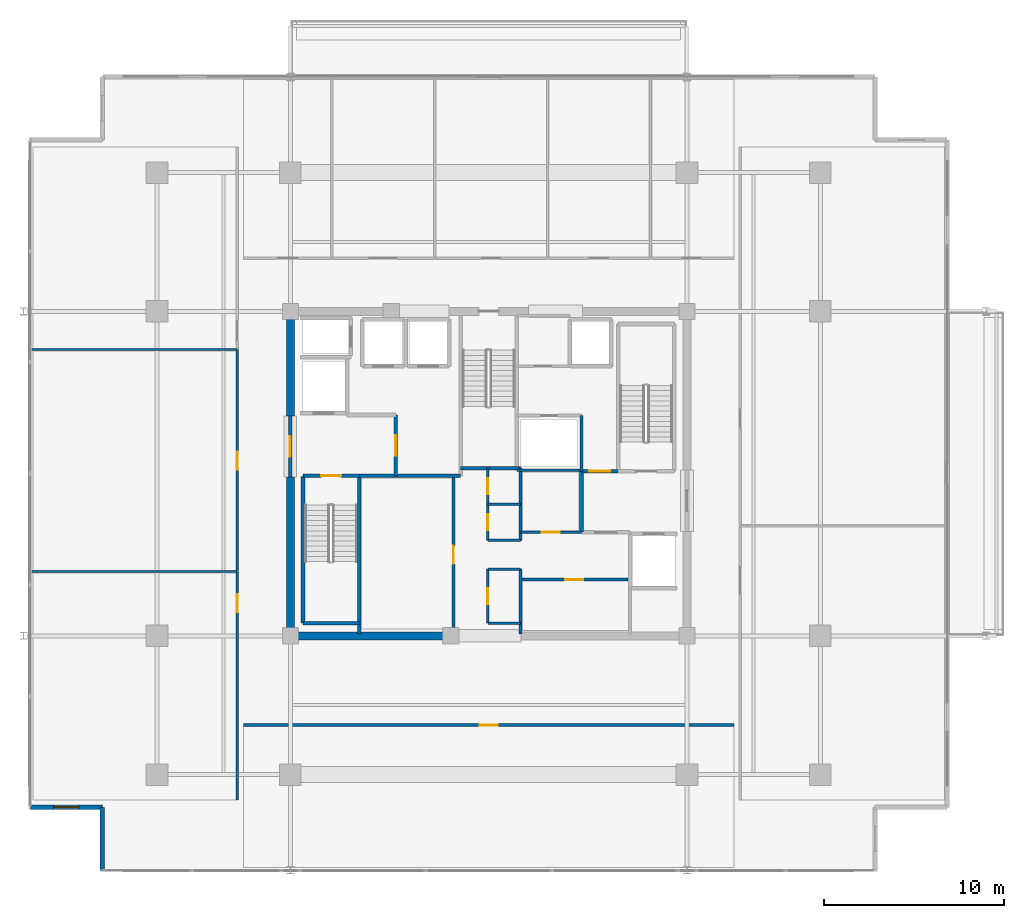
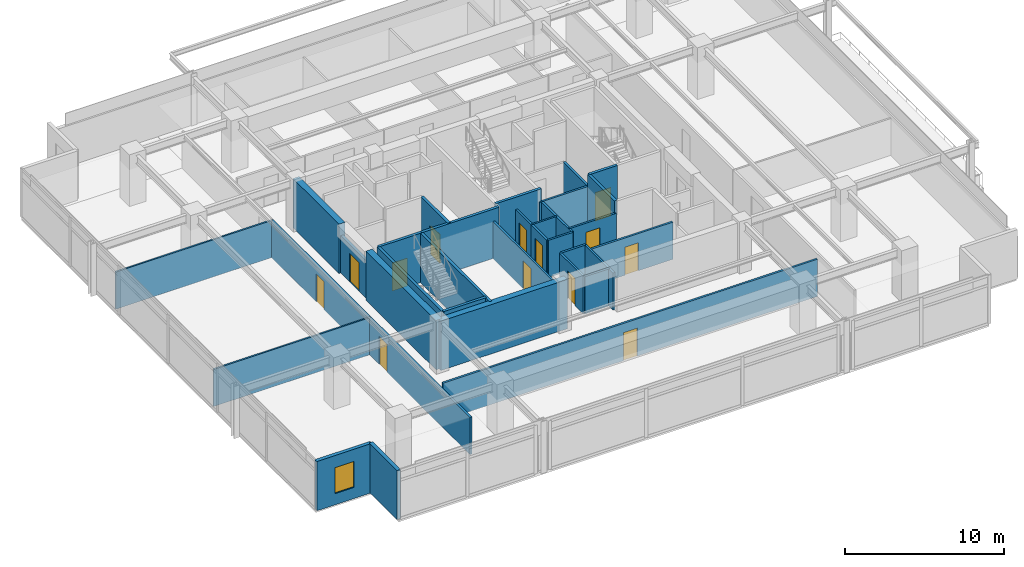
# One storey, part 13 of 20: 34 walls, 13 doors, 1 window, 14 openings.
"""IFC4 building model written with IfcOpenShell, lengths in metres."""

from ifc_helpers import new_model, si_unit, direction, frame, frame_2d, origin, place, context, subcontext, project, spatial, rectangle, extrude, material, layer, layer_set, type_object, element, fill, save


model = new_model("IFC4")

# Units and contexts
model_context = context("Model", 3, precision=1e-05, world=origin(), true_north=direction((0.0, 1.0)))
body_context = subcontext(model_context, "Body", "Model", "MODEL_VIEW")
ifc_project = project(units=[si_unit("LENGTHUNIT", "METRE"), si_unit("AREAUNIT", "SQUARE_METRE"), si_unit("VOLUMEUNIT", "CUBIC_METRE"), si_unit("PLANEANGLEUNIT", "RADIAN"), si_unit("MASSUNIT", "GRAM", prefix="KILO")], contexts=[model_context])

# Site, building, storey
site_placement = place(None, origin())
site = spatial("IfcSite", under=ifc_project, at=site_placement, CompositionType="ELEMENT")
building_placement = place(site_placement, origin())
building = spatial("IfcBuilding", under=site, at=building_placement, Name="Kovane Verandah Tower", CompositionType="ELEMENT")
storey_placement = place(building_placement, frame((0.0, 0.0, 287.199951171875)))
storey = spatial("IfcBuildingStorey", under=building, at=storey_placement, Name="L67", CompositionType="ELEMENT", Elevation=287.199951171875)

# Walls
ifc_material_1 = material(Name="Fire-Rated Gypsum Stud Partition", Category="gypsum")
ifc_layer_1 = layer(ifc_material_1, 0.14990234375)
ifc_layer_set_1 = layer_set([ifc_layer_1], Name="Fire-Rated Gypsum Stud Partition")
wall_type_1 = type_object("IfcWallType", Name="WL-COR-150", PredefinedType="PARTITIONING", material=ifc_layer_set_1)
for number, where, z_axis, x_axis, name in (
    (1, (39.949951171875, 19.199951171875, 0.0), (0.0, 0.0, 1.0), (1.0, 0.0, 0.0), "L67 Central Core Strip South Wall"),
    (2, (39.949951171875, 22.199951171875, 0.0), (0.0, 0.0, 1.0), (1.0, 0.0, 0.0), "L67 Core Cross-Passage South Wall"),
    (3, (39.949951171875, 23.800048828125, 0.0), (0.0, 0.0, 1.0), (1.0, 0.0, 0.0), "L67 Core Cross-Passage North Wall"),
):
    element("IfcWall", number, at=place(storey_placement, frame(where, z_axis=z_axis, x_axis=x_axis)), inside=storey, type_object=wall_type_1, Name=name, PredefinedType="PARTITIONING", context=body_context, shape_type="SweptSolid", body=[
        extrude(rectangle(XDim=1.81005859375, YDim=0.14990234375, at=frame_2d((0.905029296875, 0.0))), origin(), (0.0, 0.0, 1.0), 2.85009765625),
    ])
wall_1_placement = place(storey_placement, frame((41.760009765625, 18.60009765625, 0.0), z_axis=(0.0, 0.0, 1.0), x_axis=(0.0, 1.0, 0.0)))
element("IfcWall", 4, at=wall_1_placement, inside=storey, type_object=wall_type_1, Name="L67 Central Core Strip Lower East Wall", PredefinedType="PARTITIONING", context=body_context, shape_type="SweptSolid", body=[
    extrude(rectangle(XDim=3.599853515625, YDim=0.14990234375, at=frame_2d((1.7998046875, 0.0))), origin(), (0.0, 0.0, 1.0), 2.85009765625),
])
wall_2_placement = place(storey_placement, frame((41.760009765625, 23.800048828125, 0.0), z_axis=(0.0, 0.0, 1.0), x_axis=(0.0, 1.0, 0.0)))
element("IfcWall", 5, at=wall_2_placement, inside=storey, type_object=wall_type_1, Name="L67 Central Core Strip Upper East Wall", PredefinedType="PARTITIONING", context=body_context, shape_type="SweptSolid", body=[
    extrude(rectangle(XDim=4.0, YDim=0.14990234375, at=frame_2d((2.0, 0.0))), origin(), (0.0, 0.0, 1.0), 2.85009765625),
])

# Wall, opening, door
wall_3_placement = place(storey_placement, frame((39.949951171875, 19.199951171875, 0.0), z_axis=(0.0, 0.0, 1.0), x_axis=(0.0, 1.0, 0.0)))
wall_3 = element("IfcWall", 6, at=wall_3_placement, inside=storey, type_object=wall_type_1, Name="L67 Male Toilet Partition", PredefinedType="PARTITIONING", context=body_context, shape_type="SweptSolid", body=[
    extrude(rectangle(XDim=3.0, YDim=0.14990234375, at=frame_2d((1.5, 0.0))), origin(), (0.0, 0.0, 1.0), 2.85009765625),
])
opening_1_placement = place(wall_3_placement, frame((1.050048828125, 0.0, 0.0)))
opening_1 = element("IfcOpeningElement", 7, at=opening_1_placement, cuts=wall_3, Name="Opening DR-L67-026", PredefinedType="OPENING", context=body_context, shape_type="SweptSolid", body=[
    extrude(rectangle(XDim=0.89990234375, YDim=2.10009765625, at=frame_2d((0.449951171875, 1.050048828125))), frame((0.0, 0.074951171875, 0.0), z_axis=(0.0, -1.0, 0.0), x_axis=(1.0, 0.0, 0.0)), (0.0, 0.0, 1.0), 0.14990234375),
])
ifc_material_2 = material(Name="Moisture-Resistant Laminate Washroom Door", Category="wood")
door_type_1 = type_object("IfcDoorType", Name="DR-WC-900", OperationType="SINGLE_SWING_LEFT", PredefinedType="DOOR", material=ifc_material_2)
door_1_placement = place(opening_1_placement, origin())
door_1 = element("IfcDoor", 8, at=door_1_placement, inside=storey, type_object=door_type_1, Name="L67 Male Toilet Door", OperationType="SINGLE_SWING_RIGHT", OverallHeight=2.10009765625, OverallWidth=0.89990234375, PredefinedType="DOOR", context=body_context, shape_type="SweptSolid", body=[
    extrude(rectangle(XDim=0.89990234375, YDim=2.10009765625, at=frame_2d((0.449951171875, 1.050048828125))), frame((0.0, 0.02490234375, 0.0), z_axis=(0.0, -1.0, 0.0), x_axis=(1.0, 0.0, 0.0)), (0.0, 0.0, 1.0), 0.050048828125),
])
fill(opening_1, door_1)

wall_4_placement = place(storey_placement, frame((39.949951171875, 23.800048828125, 0.0), z_axis=(0.0, 0.0, 1.0), x_axis=(0.0, 1.0, 0.0)))
wall_4 = element("IfcWall", 9, at=wall_4_placement, inside=storey, type_object=wall_type_1, Name="L67 Female Toilet Partition", PredefinedType="PARTITIONING", context=body_context, shape_type="SweptSolid", body=[
    extrude(rectangle(XDim=2.0, YDim=0.14990234375, at=frame_2d((1.0, 0.0))), origin(), (0.0, 0.0, 1.0), 2.85009765625),
])
opening_2_placement = place(wall_4_placement, frame((0.550048828125, 0.0, 0.0)))
opening_2 = element("IfcOpeningElement", 10, at=opening_2_placement, cuts=wall_4, Name="Opening DR-L67-025", PredefinedType="OPENING", context=body_context, shape_type="SweptSolid", body=[
    extrude(rectangle(XDim=0.89990234375, YDim=2.10009765625, at=frame_2d((0.449951171875, 1.050048828125))), frame((0.0, 0.074951171875, 0.0), z_axis=(0.0, -1.0, 0.0), x_axis=(1.0, 0.0, 0.0)), (0.0, 0.0, 1.0), 0.14990234375),
])
door_2_placement = place(opening_2_placement, origin())
door_2 = element("IfcDoor", 11, at=door_2_placement, inside=storey, type_object=door_type_1, Name="L67 Female Toilet Door", OperationType="SINGLE_SWING_LEFT", OverallHeight=2.10009765625, OverallWidth=0.89990234375, PredefinedType="DOOR", context=body_context, shape_type="SweptSolid", body=[
    extrude(rectangle(XDim=0.89990234375, YDim=2.10009765625, at=frame_2d((0.449951171875, 1.050048828125))), frame((0.0, 0.02490234375, 0.0), z_axis=(0.0, -1.0, 0.0), x_axis=(1.0, 0.0, 0.0)), (0.0, 0.0, 1.0), 0.050048828125),
])
fill(opening_2, door_2)

wall_5_placement = place(storey_placement, frame((39.949951171875, 25.800048828125, 0.0), z_axis=(0.0, 0.0, 1.0), x_axis=(0.0, 1.0, 0.0)))
wall_5 = element("IfcWall", 12, at=wall_5_placement, inside=storey, type_object=wall_type_1, Name="L67 Accessible Unisex Toilet Partition", PredefinedType="PARTITIONING", context=body_context, shape_type="SweptSolid", body=[
    extrude(rectangle(XDim=2.0, YDim=0.14990234375, at=frame_2d((1.0, 0.0))), origin(), (0.0, 0.0, 1.0), 2.85009765625),
])
opening_3_placement = place(wall_5_placement, frame((0.550048828125, 0.0, 0.0)))
opening_3 = element("IfcOpeningElement", 13, at=opening_3_placement, cuts=wall_5, Name="Opening DR-L67-024", PredefinedType="OPENING", context=body_context, shape_type="SweptSolid", body=[
    extrude(rectangle(XDim=0.89990234375, YDim=2.10009765625, at=frame_2d((0.449951171875, 1.050048828125))), frame((0.0, 0.074951171875, 0.0), z_axis=(0.0, -1.0, 0.0), x_axis=(1.0, 0.0, 0.0)), (0.0, 0.0, 1.0), 0.14990234375),
])
door_3_placement = place(opening_3_placement, origin())
door_3 = element("IfcDoor", 14, at=door_3_placement, inside=storey, type_object=door_type_1, Name="L67 Accessible Unisex Toilet Door", OperationType="SINGLE_SWING_RIGHT", OverallHeight=2.10009765625, OverallWidth=0.89990234375, PredefinedType="DOOR", context=body_context, shape_type="SweptSolid", body=[
    extrude(rectangle(XDim=0.89990234375, YDim=2.10009765625, at=frame_2d((0.449951171875, 1.050048828125))), frame((0.0, 0.02490234375, 0.0), z_axis=(0.0, -1.0, 0.0), x_axis=(1.0, 0.0, 0.0)), (0.0, 0.0, 1.0), 0.050048828125),
])
fill(opening_3, door_3)

wall_6_placement = place(storey_placement, frame((38.050048828125, 18.60009765625, 0.0), z_axis=(0.0, 0.0, 1.0), x_axis=(0.0, 1.0, 0.0)))
wall_6 = element("IfcWall", 15, at=wall_6_placement, inside=storey, type_object=wall_type_1, Name="L67 Tenant Wellness and Archive Suite Partition", PredefinedType="PARTITIONING", context=body_context, shape_type="SweptSolid", body=[
    extrude(rectangle(XDim=8.77978515625, YDim=0.14990234375, at=frame_2d((4.389892578125, 0.0))), origin(), (0.0, 0.0, 1.0), 2.85009765625),
])
opening_4_placement = place(wall_6_placement, frame((3.889892578125, 0.0, 0.0)))
opening_4 = element("IfcOpeningElement", 16, at=opening_4_placement, cuts=wall_6, Name="Opening DR-L67-013", PredefinedType="OPENING", context=body_context, shape_type="SweptSolid", body=[
    extrude(rectangle(XDim=1.0, YDim=2.14990234375, at=frame_2d((0.5, 1.074951171875))), frame((0.0, 0.074951171875, 0.0), z_axis=(0.0, -1.0, 0.0), x_axis=(1.0, 0.0, 0.0)), (0.0, 0.0, 1.0), 0.14990234375),
])
ifc_material_3 = material(Name="FSC Spotted-Gum Timber Fire-Rated Office Door", Category="wood")
door_type_2 = type_object("IfcDoorType", Name="DR-OFF-1000", OperationType="SINGLE_SWING_LEFT", PredefinedType="DOOR", material=ifc_material_3)
door_4_placement = place(opening_4_placement, origin())
door_4 = element("IfcDoor", 17, at=door_4_placement, inside=storey, type_object=door_type_2, Name="L67 Tenant Wellness and Archive Suite Door", OperationType="SINGLE_SWING_LEFT", OverallHeight=2.14990234375, OverallWidth=1.0, PredefinedType="DOOR", context=body_context, shape_type="SweptSolid", body=[
    extrude(rectangle(XDim=1.0, YDim=2.14990234375, at=frame_2d((0.5, 1.074951171875))), frame((0.0, 0.02490234375, 0.0), z_axis=(0.0, -1.0, 0.0), x_axis=(1.0, 0.0, 0.0)), (0.0, 0.0, 1.0), 0.050048828125),
])
fill(opening_4, door_4)

# Wall
wall_7_placement = place(storey_placement, frame((41.56005859375, 27.679931640625, 0.0), z_axis=(0.0, 0.0, 1.0), x_axis=(1.0, 0.0, 0.0)))
element("IfcWall", 18, at=wall_7_placement, inside=storey, type_object=wall_type_1, Name="L67 East Core Service Riser South Wall", PredefinedType="PARTITIONING", context=body_context, shape_type="SweptSolid", body=[
    extrude(rectangle(XDim=3.58984375, YDim=0.14990234375, at=frame_2d((1.794921875, 0.0))), origin(), (0.0, 0.0, 1.0), 2.85009765625),
])

# Wall, opening, door
wall_8_placement = place(storey_placement, frame((41.760009765625, 21.6201171875, 0.0), z_axis=(0.0, 0.0, 1.0), x_axis=(1.0, 0.0, 0.0)))
wall_8 = element("IfcWall", 19, at=wall_8_placement, inside=storey, type_object=wall_type_1, Name="L67 Records Vault Room Partition", PredefinedType="PARTITIONING", context=body_context, shape_type="SweptSolid", body=[
    extrude(rectangle(XDim=5.97998046875, YDim=0.14990234375, at=frame_2d((2.989990234375, 0.0))), origin(), (0.0, 0.0, 1.0), 2.85009765625),
])
opening_5_placement = place(wall_8_placement, frame((2.489990234375, 0.0, 0.0)))
opening_5 = element("IfcOpeningElement", 20, at=opening_5_placement, cuts=wall_8, Name="Opening DR-L67-014", PredefinedType="OPENING", context=body_context, shape_type="SweptSolid", body=[
    extrude(rectangle(XDim=1.0, YDim=2.14990234375, at=frame_2d((0.5, 1.074951171875))), frame((0.0, 0.074951171875, 0.0), z_axis=(0.0, -1.0, 0.0), x_axis=(1.0, 0.0, 0.0)), (0.0, 0.0, 1.0), 0.14990234375),
])
door_5_placement = place(opening_5_placement, origin())
door_5 = element("IfcDoor", 21, at=door_5_placement, inside=storey, type_object=door_type_2, Name="L67 Records Vault Room Door", OperationType="SINGLE_SWING_RIGHT", OverallHeight=2.14990234375, OverallWidth=1.0, PredefinedType="DOOR", context=body_context, shape_type="SweptSolid", body=[
    extrude(rectangle(XDim=1.0, YDim=2.14990234375, at=frame_2d((0.5, 1.074951171875))), frame((0.0, 0.02490234375, 0.0), z_axis=(0.0, -1.0, 0.0), x_axis=(1.0, 0.0, 0.0)), (0.0, 0.0, 1.0), 0.050048828125),
])
fill(opening_5, door_5)

wall_9_placement = place(storey_placement, frame((41.760009765625, 24.25, 0.0), z_axis=(0.0, 0.0, 1.0), x_axis=(1.0, 0.0, 0.0)))
wall_9 = element("IfcWall", 22, at=wall_9_placement, inside=storey, type_object=wall_type_1, Name="L67 Document Archive Room Partition", PredefinedType="PARTITIONING", context=body_context, shape_type="SweptSolid", body=[
    extrude(rectangle(XDim=3.389892578125, YDim=0.14990234375, at=frame_2d((1.69482421875, 0.0))), origin(), (0.0, 0.0, 1.0), 2.85009765625),
])
opening_6_placement = place(wall_9_placement, frame((1.195068359375, 0.0, 0.0)))
opening_6 = element("IfcOpeningElement", 23, at=opening_6_placement, cuts=wall_9, Name="Opening DR-L67-015", PredefinedType="OPENING", context=body_context, shape_type="SweptSolid", body=[
    extrude(rectangle(XDim=1.0, YDim=2.14990234375, at=frame_2d((0.5, 1.074951171875))), frame((0.0, 0.074951171875, 0.0), z_axis=(0.0, -1.0, 0.0), x_axis=(1.0, 0.0, 0.0)), (0.0, 0.0, 1.0), 0.14990234375),
])
door_6_placement = place(opening_6_placement, origin())
door_6 = element("IfcDoor", 24, at=door_6_placement, inside=storey, type_object=door_type_2, Name="L67 Document Archive Room Door", OperationType="SINGLE_SWING_LEFT", OverallHeight=2.14990234375, OverallWidth=1.0, PredefinedType="DOOR", context=body_context, shape_type="SweptSolid", body=[
    extrude(rectangle(XDim=1.0, YDim=2.14990234375, at=frame_2d((0.5, 1.074951171875))), frame((0.0, 0.02490234375, 0.0), z_axis=(0.0, -1.0, 0.0), x_axis=(1.0, 0.0, 0.0)), (0.0, 0.0, 1.0), 0.050048828125),
])
fill(opening_6, door_6)

# Wall
wall_10_placement = place(storey_placement, frame((45.14990234375, 27.6201171875, 0.0), z_axis=(0.0, 0.0, 1.0), x_axis=(0.0, 1.0, 0.0)))
element("IfcWall", 25, at=wall_10_placement, inside=storey, type_object=wall_type_1, Name="L67 East Core Service Riser East Wall", PredefinedType="PARTITIONING", context=body_context, shape_type="SweptSolid", body=[
    extrude(rectangle(XDim=3.099853515625, YDim=0.14990234375, at=frame_2d((1.5498046875, 0.0))), origin(), (0.0, 0.0, 1.0), 2.85009765625),
])

# Wall, opening, door
wall_11_placement = place(storey_placement, frame((26.39990234375, 13.550048828125, 0.0), z_axis=(0.0, 0.0, 1.0), x_axis=(1.0, 0.0, 0.0)))
wall_11 = element("IfcWall", 26, at=wall_11_placement, inside=storey, type_object=wall_type_1, Name="L67 Collaboration Hub S1 Corridor Partition", PredefinedType="PARTITIONING", context=body_context, shape_type="SweptSolid", body=[
    extrude(rectangle(XDim=27.2001953125, YDim=0.14990234375, at=frame_2d((13.60009765625, 0.0))), origin(), (0.0, 0.0, 1.0), 2.85009765625),
])
opening_7_placement = place(wall_11_placement, frame((13.10009765625, 0.0, 0.0)))
opening_7 = element("IfcOpeningElement", 27, at=opening_7_placement, cuts=wall_11, Name="Opening DR-L67-023", PredefinedType="OPENING", context=body_context, shape_type="SweptSolid", body=[
    extrude(rectangle(XDim=1.0, YDim=2.14990234375, at=frame_2d((0.5, 1.074951171875))), frame((0.0, 0.074951171875, 0.0), z_axis=(0.0, -1.0, 0.0), x_axis=(1.0, 0.0, 0.0)), (0.0, 0.0, 1.0), 0.14990234375),
])
door_7_placement = place(opening_7_placement, origin())
door_7 = element("IfcDoor", 28, at=door_7_placement, inside=storey, type_object=door_type_2, Name="L67 Collaboration Hub S1 Entrance Door", OperationType="SINGLE_SWING_LEFT", OverallHeight=2.14990234375, OverallWidth=1.0, PredefinedType="DOOR", context=body_context, shape_type="SweptSolid", body=[
    extrude(rectangle(XDim=1.0, YDim=2.14990234375, at=frame_2d((0.5, 1.074951171875))), frame((0.0, 0.02490234375, 0.0), z_axis=(0.0, -1.0, 0.0), x_axis=(1.0, 0.0, 0.0)), (0.0, 0.0, 1.0), 0.050048828125),
])
fill(opening_7, door_7)

wall_12_placement = place(storey_placement, frame((26.050048828125, 9.3857421875, 0.0), z_axis=(0.0, 0.0, 1.0), x_axis=(0.0, 1.0, 0.0)))
wall_12 = element("IfcWall", 29, at=wall_12_placement, inside=storey, type_object=wall_type_1, Name="L67 Document and Print Room W1 Corridor Partition", PredefinedType="PARTITIONING", context=body_context, shape_type="SweptSolid", body=[
    extrude(rectangle(XDim=12.679931640625, YDim=0.14990234375, at=frame_2d((6.33984375, 0.0))), origin(), (0.0, 0.0, 1.0), 2.85009765625),
])
opening_8_placement = place(wall_12_placement, frame((10.412109375, 0.0, 0.0)))
opening_8 = element("IfcOpeningElement", 30, at=opening_8_placement, cuts=wall_12, Name="Opening DR-L67-027", PredefinedType="OPENING", context=body_context, shape_type="SweptSolid", body=[
    extrude(rectangle(XDim=1.0, YDim=2.14990234375, at=frame_2d((0.5, 1.074951171875))), frame((0.0, 0.074951171875, 0.0), z_axis=(0.0, -1.0, 0.0), x_axis=(1.0, 0.0, 0.0)), (0.0, 0.0, 1.0), 0.14990234375),
])
door_8_placement = place(opening_8_placement, origin())
door_8 = element("IfcDoor", 31, at=door_8_placement, inside=storey, type_object=door_type_2, Name="L67 Document and Print Room W1 Entrance Door", OperationType="SINGLE_SWING_RIGHT", OverallHeight=2.14990234375, OverallWidth=1.0, PredefinedType="DOOR", context=body_context, shape_type="SweptSolid", body=[
    extrude(rectangle(XDim=1.0, YDim=2.14990234375, at=frame_2d((0.5, 1.074951171875))), frame((0.0, 0.02490234375, 0.0), z_axis=(0.0, -1.0, 0.0), x_axis=(1.0, 0.0, 0.0)), (0.0, 0.0, 1.0), 0.050048828125),
])
fill(opening_8, door_8)

wall_13_placement = place(storey_placement, frame((26.050048828125, 22.1357421875, 0.0), z_axis=(0.0, 0.0, 1.0), x_axis=(0.0, 1.0, 0.0)))
wall_13 = element("IfcWall", 32, at=wall_13_placement, inside=storey, type_object=wall_type_1, Name="L67 Open Plan Office W2 Corridor Partition", PredefinedType="PARTITIONING", context=body_context, shape_type="SweptSolid", body=[
    extrude(rectangle(XDim=12.24755859375, YDim=0.14990234375, at=frame_2d((6.123779296875, 0.0))), origin(), (0.0, 0.0, 1.0), 2.85009765625),
])
opening_9_placement = place(wall_13_placement, frame((5.5888671875, 0.0, 0.0)))
opening_9 = element("IfcOpeningElement", 33, at=opening_9_placement, cuts=wall_13, Name="Opening DR-L67-028", PredefinedType="OPENING", context=body_context, shape_type="SweptSolid", body=[
    extrude(rectangle(XDim=1.0, YDim=2.14990234375, at=frame_2d((0.5, 1.074951171875))), frame((0.0, 0.074951171875, 0.0), z_axis=(0.0, -1.0, 0.0), x_axis=(1.0, 0.0, 0.0)), (0.0, 0.0, 1.0), 0.14990234375),
])
door_9_placement = place(opening_9_placement, origin())
door_9 = element("IfcDoor", 34, at=door_9_placement, inside=storey, type_object=door_type_2, Name="L67 Open Plan Office W2 Entrance Door", OperationType="SINGLE_SWING_LEFT", OverallHeight=2.14990234375, OverallWidth=1.0, PredefinedType="DOOR", context=body_context, shape_type="SweptSolid", body=[
    extrude(rectangle(XDim=1.0, YDim=2.14990234375, at=frame_2d((0.5, 1.074951171875))), frame((0.0, 0.02490234375, 0.0), z_axis=(0.0, -1.0, 0.0), x_axis=(1.0, 0.0, 0.0)), (0.0, 0.0, 1.0), 0.050048828125),
])
fill(opening_9, door_9)

# Walls
ifc_material_4 = material(Name="Concrete C60/75", Category="concrete")
ifc_layer_2 = layer(ifc_material_4, 0.449951171875)
ifc_layer_set_2 = layer_set([ifc_layer_2], Name="Concrete C60/75")
wall_type_2 = type_object("IfcWallType", Name="WL-CORE-450", PredefinedType="SHEAR", material=ifc_layer_set_2)
wall_14_placement = place(storey_placement, frame((29.0, 18.5, 0.0), z_axis=(0.0, 0.0, 1.0), x_axis=(1.0, 0.0, 0.0)))
element("IfcWall", 35, at=wall_14_placement, inside=storey, type_object=wall_type_2, Name="L67 Core Shear Wall CS-1", PredefinedType="SHEAR", context=body_context, shape_type="SweptSolid", body=[
    extrude(rectangle(XDim=9.199951171875, YDim=0.449951171875, at=frame_2d((4.60009765625, 0.0))), origin(), (0.0, 0.0, 1.0), 3.78515625),
])
wall_15_placement = place(storey_placement, frame((29.0, 18.5, 0.0), z_axis=(0.0, 0.0, 1.0), x_axis=(0.0, 1.0, 0.0)))
element("IfcWall", 36, at=wall_15_placement, inside=storey, type_object=wall_type_2, Name="L67 Core Shear Wall CW-1", PredefinedType="SHEAR", context=body_context, shape_type="SweptSolid", body=[
    extrude(rectangle(XDim=8.800048828125, YDim=0.449951171875, at=frame_2d((4.39990234375, 0.0))), origin(), (0.0, 0.0, 1.0), 3.78515625),
])
wall_16_placement = place(storey_placement, frame((29.0, 30.699951171875, 0.0), z_axis=(0.0, 0.0, 1.0), x_axis=(0.0, 1.0, 0.0)))
element("IfcWall", 37, at=wall_16_placement, inside=storey, type_object=wall_type_2, Name="L67 Core Shear Wall CW-2", PredefinedType="SHEAR", context=body_context, shape_type="SweptSolid", body=[
    extrude(rectangle(XDim=5.800048828125, YDim=0.449951171875, at=frame_2d((2.89990234375, 0.0))), origin(), (0.0, 0.0, 1.0), 3.78515625),
])

# Wall, opening, door
ifc_material_5 = material(Name="Concrete C45/55 Fire Wall", Category="concrete")
ifc_layer_3 = layer(ifc_material_5, 0.199951171875)
ifc_layer_set_3 = layer_set([ifc_layer_3], Name="Concrete C45/55 Fire Wall")
wall_type_3 = type_object("IfcWallType", Name="WL-FFL-200", PredefinedType="PARTITIONING", material=ifc_layer_set_3)
wall_17_placement = place(storey_placement, frame((34.85009765625, 27.3798828125, 0.0), z_axis=(0.0, 0.0, 1.0), x_axis=(0.0, 1.0, 0.0)))
wall_17 = element("IfcWall", 38, at=wall_17_placement, inside=storey, type_object=wall_type_3, Name="W-L67-FFLW-E", PredefinedType="PARTITIONING", context=body_context, shape_type="SweptSolid", body=[
    extrude(rectangle(XDim=3.3701171875, YDim=0.199951171875, at=frame_2d((1.68505859375, 0.0))), origin(), (0.0, 0.0, 1.0), 3.78515625),
])
opening_10_placement = place(wall_17_placement, frame((1.110107421875, 0.0, 0.0)))
opening_10 = element("IfcOpeningElement", 39, at=opening_10_placement, cuts=wall_17, Name="Opening DR-L67-006", PredefinedType="OPENING", context=body_context, shape_type="SweptSolid", body=[
    extrude(rectangle(XDim=1.14990234375, YDim=2.199951171875, at=frame_2d((0.574951171875, 1.10009765625))), frame((0.0, 0.10009765625, 0.0), z_axis=(0.0, -1.0, 0.0), x_axis=(1.0, 0.0, 0.0)), (0.0, 0.0, 1.0), 0.199951171875),
])
ifc_material_6 = material(Name="Smoke-Sealed Firefighting Lobby Door", Category="steel")
door_type_3 = type_object("IfcDoorType", Name="DR-FFL-1150", OperationType="SINGLE_SWING_LEFT", PredefinedType="DOOR", material=ifc_material_6)
door_10_placement = place(opening_10_placement, origin())
door_10 = element("IfcDoor", 40, at=door_10_placement, inside=storey, type_object=door_type_3, Name="L67 West Firefighting Lobby Inner Door", OperationType="SINGLE_SWING_LEFT", OverallHeight=2.199951171875, OverallWidth=1.14990234375, PredefinedType="DOOR", context=body_context, shape_type="SweptSolid", body=[
    extrude(rectangle(XDim=1.14990234375, YDim=2.199951171875, at=frame_2d((0.574951171875, 1.10009765625))), frame((0.0, 0.02490234375, 0.0), z_axis=(0.0, -1.0, 0.0), x_axis=(1.0, 0.0, 0.0)), (0.0, 0.0, 1.0), 0.050048828125),
])
fill(opening_10, door_10)

wall_18_placement = place(storey_placement, frame((29.0, 27.300048828125, 0.0), z_axis=(0.0, 0.0, 1.0), x_axis=(0.0, 1.0, 0.0)))
wall_18 = element("IfcWall", 41, at=wall_18_placement, inside=storey, type_object=wall_type_3, Name="W-L67-FFLW-OUT", PredefinedType="PARTITIONING", context=body_context, shape_type="SweptSolid", body=[
    extrude(rectangle(XDim=3.39990234375, YDim=0.199951171875, at=frame_2d((1.699951171875, 0.0))), origin(), (0.0, 0.0, 1.0), 2.864990234375),
])
opening_11_placement = place(wall_18_placement, frame((1.125, 0.0, 0.0)))
opening_11 = element("IfcOpeningElement", 42, at=opening_11_placement, cuts=wall_18, Name="Opening DR-L67-007", PredefinedType="OPENING", context=body_context, shape_type="SweptSolid", body=[
    extrude(rectangle(XDim=1.14990234375, YDim=2.199951171875, at=frame_2d((0.574951171875, 1.10009765625))), frame((0.0, 0.10009765625, 0.0), z_axis=(0.0, -1.0, 0.0), x_axis=(1.0, 0.0, 0.0)), (0.0, 0.0, 1.0), 0.199951171875),
])
door_11_placement = place(opening_11_placement, origin())
door_11 = element("IfcDoor", 43, at=door_11_placement, inside=storey, type_object=door_type_3, Name="L67 West Firefighting Lobby Corridor Door", OperationType="SINGLE_SWING_RIGHT", OverallHeight=2.199951171875, OverallWidth=1.14990234375, PredefinedType="DOOR", context=body_context, shape_type="SweptSolid", body=[
    extrude(rectangle(XDim=1.14990234375, YDim=2.199951171875, at=frame_2d((0.574951171875, 1.10009765625))), frame((0.0, 0.02490234375, 0.0), z_axis=(0.0, -1.0, 0.0), x_axis=(1.0, 0.0, 0.0)), (0.0, 0.0, 1.0), 0.050048828125),
])
fill(opening_11, door_11)

# Walls
wall_19_placement = place(storey_placement, frame((32.820068359375, 27.3798828125, 0.0), z_axis=(0.0, 0.0, 1.0), x_axis=(1.0, 0.0, 0.0)))
element("IfcWall", 44, at=wall_19_placement, inside=storey, type_object=wall_type_3, Name="L67 West Firefighting Lobby South Fire Wall", PredefinedType="PARTITIONING", context=body_context, shape_type="SweptSolid", body=[
    extrude(rectangle(XDim=5.619873046875, YDim=0.199951171875, at=frame_2d((2.81005859375, 0.0))), origin(), (0.0, 0.0, 1.0), 3.78515625),
])
wall_20_placement = place(storey_placement, frame((45.14990234375, 24.25, 0.0), z_axis=(0.0, 0.0, 1.0), x_axis=(0.0, 1.0, 0.0)))
element("IfcWall", 45, at=wall_20_placement, inside=storey, type_object=wall_type_3, Name="L67 East Firefighting Lobby West Fire Wall", PredefinedType="PARTITIONING", context=body_context, shape_type="SweptSolid", body=[
    extrude(rectangle(XDim=3.3701171875, YDim=0.199951171875, at=frame_2d((1.68505859375, 0.0))), origin(), (0.0, 0.0, 1.0), 3.78515625),
])

# Wall, opening, door
wall_21_placement = place(storey_placement, frame((45.14990234375, 27.6201171875, 0.0), z_axis=(0.0, 0.0, 1.0), x_axis=(1.0, 0.0, 0.0)))
wall_21 = element("IfcWall", 46, at=wall_21_placement, inside=storey, type_object=wall_type_3, Name="W-L67-FFLE-N", PredefinedType="PARTITIONING", context=body_context, shape_type="SweptSolid", body=[
    extrude(rectangle(XDim=2.030029296875, YDim=0.199951171875, at=frame_2d((1.01513671875, 0.0))), origin(), (0.0, 0.0, 1.0), 3.78515625),
])
opening_12_placement = place(wall_21_placement, frame((0.43994140625, 0.0, 0.0)))
opening_12 = element("IfcOpeningElement", 47, at=opening_12_placement, cuts=wall_21, Name="Opening DR-L67-004", PredefinedType="OPENING", context=body_context, shape_type="SweptSolid", body=[
    extrude(rectangle(XDim=1.14990234375, YDim=2.199951171875, at=frame_2d((0.574951171875, 1.10009765625))), frame((0.0, 0.10009765625, 0.0), z_axis=(0.0, -1.0, 0.0), x_axis=(1.0, 0.0, 0.0)), (0.0, 0.0, 1.0), 0.199951171875),
])
door_12_placement = place(opening_12_placement, origin())
door_12 = element("IfcDoor", 48, at=door_12_placement, inside=storey, type_object=door_type_3, Name="L67 East Firefighting Lobby Shuttle Link Door", OperationType="SINGLE_SWING_LEFT", OverallHeight=2.199951171875, OverallWidth=1.14990234375, PredefinedType="DOOR", context=body_context, shape_type="SweptSolid", body=[
    extrude(rectangle(XDim=1.14990234375, YDim=2.199951171875, at=frame_2d((0.574951171875, 1.10009765625))), frame((0.0, 0.02490234375, 0.0), z_axis=(0.0, -1.0, 0.0), x_axis=(1.0, 0.0, 0.0)), (0.0, 0.0, 1.0), 0.050048828125),
])
fill(opening_12, door_12)

# Walls
ifc_material_7 = material(Name="Acoustic Fire-Rated Gypsum Partition", Category="gypsum")
ifc_layer_4 = layer(ifc_material_7, 0.1201171875)
ifc_layer_set_4 = layer_set([ifc_layer_4], Name="Acoustic Fire-Rated Gypsum Partition")
wall_type_4 = type_object("IfcWallType", Name="WL-PART-120", PredefinedType="PARTITIONING", material=ifc_layer_set_4)
wall_22_placement = place(storey_placement, frame((39.949951171875, 25.800048828125, 0.0), z_axis=(0.0, 0.0, 1.0), x_axis=(1.0, 0.0, 0.0)))
element("IfcWall", 49, at=wall_22_placement, inside=storey, type_object=wall_type_4, Name="L67 Central Core Strip Upper Dividing Partition", PredefinedType="PARTITIONING", context=body_context, shape_type="SweptSolid", body=[
    extrude(rectangle(XDim=1.81005859375, YDim=0.1201171875, at=frame_2d((0.905029296875, 0.0))), origin(), (0.0, 0.0, 1.0), 2.85009765625),
])
for number, where, z_axis, x_axis, name in (
    (50, (14.66259765625, 22.065673828125, 0.0), (0.0, 0.0, 1.0), (1.0, 0.0, 0.0), "L67 Document and Print Room W1 Dividing Partition"),
    (51, (14.66259765625, 34.38330078125, 0.0), (0.0, 0.0, 1.0), (1.0, 0.0, 0.0), "L67 Open Plan Office W2 Dividing Partition"),
):
    element("IfcWall", number, at=place(storey_placement, frame(where, z_axis=z_axis, x_axis=x_axis)), inside=storey, type_object=wall_type_4, Name=name, PredefinedType="PARTITIONING", context=body_context, shape_type="SweptSolid", body=[
        extrude(rectangle(XDim=11.387451171875, YDim=0.1201171875, at=frame_2d((5.69384765625, 0.0))), origin(), (0.0, 0.0, 1.0), 2.85009765625),
    ])
ifc_material_8 = material(Name="Concrete C45/55", Category="concrete")
ifc_layer_5 = layer(ifc_material_8, 0.199951171875)
ifc_layer_set_5 = layer_set([ifc_layer_5], Name="Concrete C45/55")
wall_type_5 = type_object("IfcWallType", Name="WL-SHAFT-200", PredefinedType="SOLIDWALL", material=ifc_layer_set_5)
wall_23_placement = place(storey_placement, frame((29.699951171875, 19.199951171875, 0.0), z_axis=(0.0, 0.0, 1.0), x_axis=(0.0, 1.0, 0.0)))
element("IfcWall", 52, at=wall_23_placement, inside=storey, type_object=wall_type_5, Name="W-L67-ST01-W", PredefinedType="SOLIDWALL", context=body_context, shape_type="SweptSolid", body=[
    extrude(rectangle(XDim=8.150146484375, YDim=0.199951171875, at=frame_2d((4.0751953125, 0.0))), origin(), (0.0, 0.0, 1.0), 3.78515625),
])
wall_24_placement = place(storey_placement, frame((29.699951171875, 19.199951171875, 0.0), z_axis=(0.0, 0.0, 1.0), x_axis=(1.0, 0.0, 0.0)))
element("IfcWall", 53, at=wall_24_placement, inside=storey, type_object=wall_type_5, Name="W-L67-ST01-S", PredefinedType="SOLIDWALL", context=body_context, shape_type="SweptSolid", body=[
    extrude(rectangle(XDim=3.1201171875, YDim=0.199951171875, at=frame_2d((1.56005859375, 0.0))), origin(), (0.0, 0.0, 1.0), 3.78515625),
])
wall_25_placement = place(storey_placement, frame((32.820068359375, 18.60009765625, 0.0), z_axis=(0.0, 0.0, 1.0), x_axis=(0.0, 1.0, 0.0)))
element("IfcWall", 54, at=wall_25_placement, inside=storey, type_object=wall_type_5, Name="W-L67-ST01-E", PredefinedType="SOLIDWALL", context=body_context, shape_type="SweptSolid", body=[
    extrude(rectangle(XDim=8.77978515625, YDim=0.199951171875, at=frame_2d((4.389892578125, 0.0))), origin(), (0.0, 0.0, 1.0), 3.78515625),
])

# Wall, opening, door
wall_26_placement = place(storey_placement, frame((29.699951171875, 27.3798828125, 0.0), z_axis=(0.0, 0.0, 1.0), x_axis=(1.0, 0.0, 0.0)))
wall_26 = element("IfcWall", 55, at=wall_26_placement, inside=storey, type_object=wall_type_5, Name="W-L67-ST01-N", PredefinedType="SOLIDWALL", context=body_context, shape_type="SweptSolid", body=[
    extrude(rectangle(XDim=3.1201171875, YDim=0.199951171875, at=frame_2d((1.56005859375, 0.0))), origin(), (0.0, 0.0, 1.0), 3.78515625),
])
opening_13_placement = place(wall_26_placement, frame((1.010009765625, 0.0, 0.0)))
opening_13 = element("IfcOpeningElement", 56, at=opening_13_placement, cuts=wall_26, Name="Opening DR-L67-008", PredefinedType="OPENING", context=body_context, shape_type="SweptSolid", body=[
    extrude(rectangle(XDim=1.10009765625, YDim=2.14990234375, at=frame_2d((0.550048828125, 1.074951171875))), frame((0.0, 0.10009765625, 0.0), z_axis=(0.0, -1.0, 0.0), x_axis=(1.0, 0.0, 0.0)), (0.0, 0.0, 1.0), 0.199951171875),
])
ifc_material_9 = material(Name="Fire-Rated Steel Exit Door", Category="steel")
door_type_4 = type_object("IfcDoorType", Name="DR-STAIR-1100", OperationType="SINGLE_SWING_LEFT", PredefinedType="DOOR", material=ifc_material_9)
door_13_placement = place(opening_13_placement, origin())
door_13 = element("IfcDoor", 57, at=door_13_placement, inside=storey, type_object=door_type_4, Name="L67 ST-01 Fire Exit Stair Door", OperationType="SINGLE_SWING_LEFT", OverallHeight=2.14990234375, OverallWidth=1.10009765625, PredefinedType="DOOR", context=body_context, shape_type="SweptSolid", body=[
    extrude(rectangle(XDim=1.10009765625, YDim=2.14990234375, at=frame_2d((0.550048828125, 1.074951171875))), frame((0.0, 0.02490234375, 0.0), z_axis=(0.0, -1.0, 0.0), x_axis=(1.0, 0.0, 0.0)), (0.0, 0.0, 1.0), 0.050048828125),
])
fill(opening_13, door_13)

# Wall
wall_27_placement = place(storey_placement, frame((38.43994140625, 27.800048828125, 0.0), z_axis=(0.0, 0.0, 1.0), x_axis=(1.0, 0.0, 0.0)))
element("IfcWall", 58, at=wall_27_placement, inside=storey, type_object=wall_type_5, Name="W-L67-ST03-S", PredefinedType="SOLIDWALL", context=body_context, shape_type="SweptSolid", body=[
    extrude(rectangle(XDim=3.320068359375, YDim=0.199951171875, at=frame_2d((1.66015625, 0.0))), origin(), (0.0, 0.0, 1.0), 3.78515625),
])

# Wall, opening, window
ifc_material_10 = material(Name="Concrete C45/55 Insulated Spandrel Wall", Category="concrete")
ifc_layer_6 = layer(ifc_material_10, 0.260009765625)
ifc_layer_set_6 = layer_set([ifc_layer_6], Name="Concrete C45/55 Insulated Spandrel Wall")
wall_type_6 = type_object("IfcWallType", Name="WL-SPANDREL-260", PredefinedType="PARAPET", material=ifc_layer_set_6)
wall_28_placement = place(storey_placement, frame((14.5625, 8.985595703125, 0.0), z_axis=(0.0, 0.0, 1.0), x_axis=(1.0, 0.0, 0.0)))
wall_28 = element("IfcWall", 59, at=wall_28_placement, inside=storey, type_object=wall_type_6, Name="L67 SW Notch Cheek Wall 1", PredefinedType="PARAPET", context=body_context, shape_type="SweptSolid", body=[
    extrude(rectangle(XDim=4.0, YDim=0.260009765625, at=frame_2d((2.0, 0.0))), origin(), (0.0, 0.0, 1.0), 3.78515625),
])
opening_14_placement = place(wall_28_placement, frame((1.300048828125, 0.0, 0.85009765625)))
opening_14 = element("IfcOpeningElement", 60, at=opening_14_placement, cuts=wall_28, Name="Opening W-01", PredefinedType="OPENING", context=body_context, shape_type="SweptSolid", body=[
    extrude(rectangle(XDim=1.39990234375, YDim=2.0, at=frame_2d((0.699951171875, 1.0))), frame((0.0, 0.1298828125, 0.0), z_axis=(0.0, -1.0, 0.0), x_axis=(1.0, 0.0, 0.0)), (0.0, 0.0, 1.0), 0.260009765625),
])
ifc_material_11 = material(Name="Clear Low-E Laminated Double Glazing in Anodised Frame", Category="glass")
window_type = type_object("IfcWindowType", Name="WN-OPER-1400x2000", PartitioningType="SINGLE_PANEL", PredefinedType="WINDOW", material=ifc_material_11)
window_placement = place(opening_14_placement, origin())
window = element("IfcWindow", 61, at=window_placement, inside=storey, type_object=window_type, Name="L67 SW Re-Entrant Corner Operable Window", OverallHeight=2.0, OverallWidth=1.39990234375, PartitioningType="SINGLE_PANEL", PredefinedType="WINDOW", context=body_context, shape_type="SweptSolid", body=[
    extrude(rectangle(XDim=1.39990234375, YDim=2.0, at=frame_2d((0.699951171875, 1.0))), frame((0.0, 0.030029296875, 0.0), z_axis=(0.0, -1.0, 0.0), x_axis=(1.0, 0.0, 0.0)), (0.0, 0.0, 1.0), 0.06005859375),
])
fill(opening_14, window)

# Wall
wall_29_placement = place(storey_placement, frame((18.5625, 8.985595703125, 0.0), z_axis=(0.0, 0.0, 1.0), x_axis=(0.0, -1.0, 0.0)))
element("IfcWall", 62, at=wall_29_placement, inside=storey, type_object=wall_type_6, Name="L67 SW Notch Cheek Wall 2", PredefinedType="PARAPET", context=body_context, shape_type="SweptSolid", body=[
    extrude(rectangle(XDim=3.5, YDim=0.260009765625, at=frame_2d((1.75, 0.0))), origin(), (0.0, 0.0, 1.0), 3.78515625),
])

save(model, "model.ifc")
